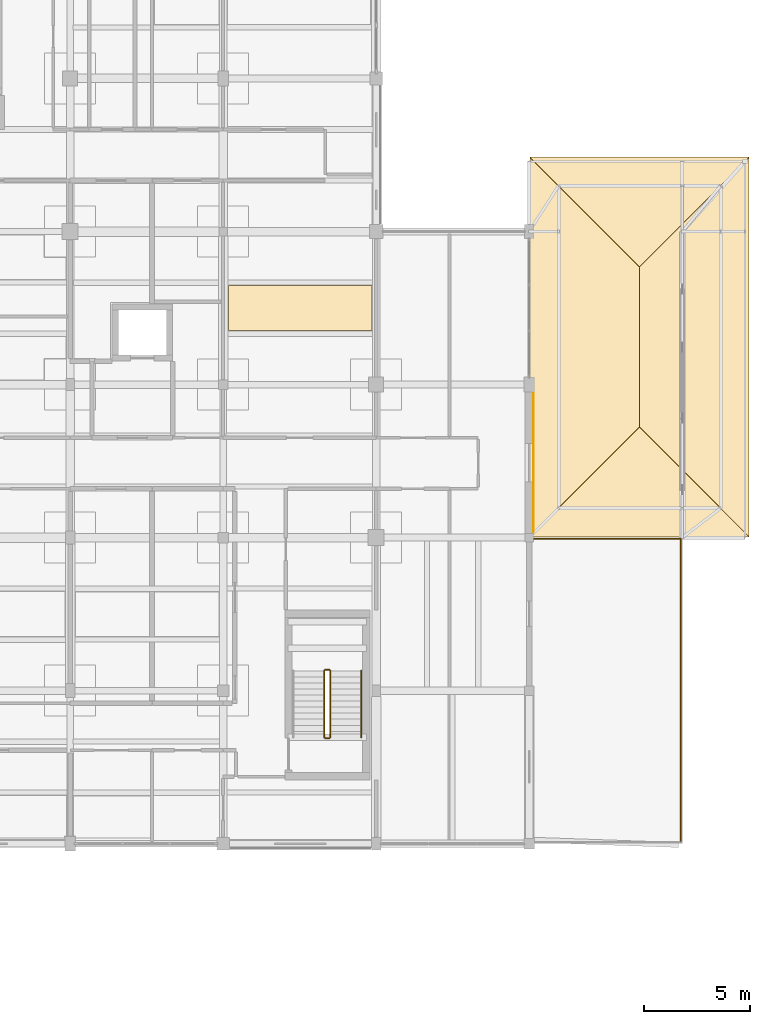
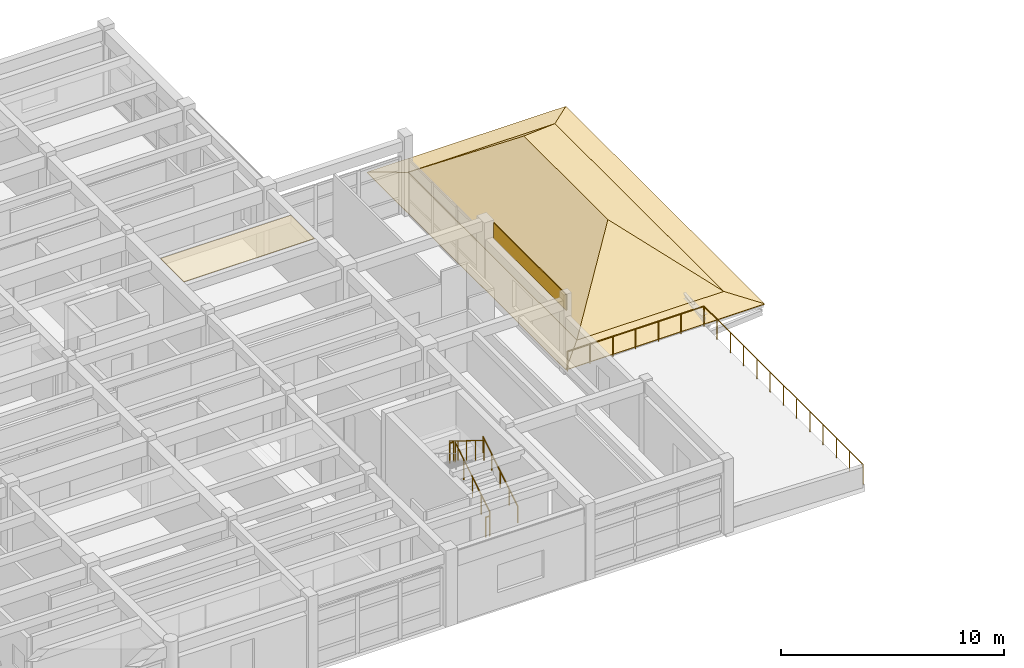
# One storey, part 99 of 100: 10 coverings, 7 railings.
"""IFC4 building model written with IfcOpenShell, lengths in metres."""

from ifc_helpers import new_model, si_unit, direction, frame, origin, origin_2d, place, context, subcontext, project, spatial, polyline, rectangle, circle, outline, extrude, material, layer, layer_set, type_object, element, save


model = new_model("IFC4")

# Units and contexts
model_context = context("Model", 3, precision=1e-05, world=origin(), true_north=direction((0.0, 1.0)))
body_context = subcontext(model_context, "Body", "Model", "MODEL_VIEW")
ifc_project = project(units=[si_unit("LENGTHUNIT", "METRE"), si_unit("AREAUNIT", "SQUARE_METRE"), si_unit("VOLUMEUNIT", "CUBIC_METRE"), si_unit("PLANEANGLEUNIT", "RADIAN"), si_unit("MASSUNIT", "GRAM", prefix="KILO")], contexts=[model_context])

# Site, building, storey
site_placement = place(None, origin())
site = spatial("IfcSite", under=ifc_project, at=site_placement, CompositionType="ELEMENT")
building_placement = place(site_placement, origin())
building = spatial("IfcBuilding", under=site, at=building_placement, Name="Steenspoor Specialist Clinic", CompositionType="ELEMENT")
storey_placement = place(building_placement, frame((0.0, 0.0, 9.0)))
storey = spatial("IfcBuildingStorey", under=building, at=storey_placement, Name="L02", CompositionType="ELEMENT", Elevation=9.0)

# Coverings
ifc_material_1 = material(Name="Washable acoustic mineral ceiling board", Category="gypsum")
ifc_layer_1 = layer(ifc_material_1, 0.02490234375)
ifc_layer_set_1 = layer_set([ifc_layer_1], Name="Washable acoustic mineral ceiling board")
covering_type_1 = type_object("IfcCoveringType", Name="COV-CEIL-ACOUSTIC", PredefinedType="CEILING", material=ifc_layer_set_1)
covering_1_placement = place(storey_placement, frame((0.0, 0.0, 3.925048828125)))
element("IfcCovering", 1, at=covering_1_placement, inside=storey, type_object=covering_type_1, Name="Acoustic Clinical Ceiling 161", PredefinedType="CEILING", context=body_context, shape_type="SweptSolid", body=[
    extrude(outline(polyline([(146.60498046875, 89.300048828125), (139.844970703125, 89.300048828125), (139.844970703125, 91.409912109375), (146.60498046875, 91.409912109375), (146.60498046875, 89.300048828125)])), origin(), (0.0, 0.0, 1.0), 0.02490234375),
])
ifc_material_2 = material(Name="Glazed ceramic relief spandrel cladding", Category="masonry")
ifc_layer_2 = layer(ifc_material_2, 0.034912109375)
ifc_layer_set_2 = layer_set([ifc_layer_2], Name="Glazed ceramic relief spandrel cladding")
covering_type_2 = type_object("IfcCoveringType", Name="COV-CLAD-CERAMIC", PredefinedType="CLADDING", material=ifc_layer_set_2)
covering_2_placement = place(storey_placement, frame((154.199951171875, 83.074951171875, 3.11474609375), z_axis=(0.0, 0.0, 1.0), x_axis=(0.0, -1.0, 0.0)))
element("IfcCovering", 2, at=covering_2_placement, inside=storey, type_object=covering_type_2, Name="Spandrel Cladding 88", PredefinedType="CLADDING", context=body_context, shape_type="SweptSolid", body=[
    extrude(rectangle(XDim=6.530029296875, YDim=0.0400390625, at=origin_2d()), origin(), (0.0, 0.0, 1.0), 0.840087890625),
])
ifc_material_3 = material(Name="Extruded terracotta clay roof tile", Category="masonry")
ifc_layer_3 = layer(ifc_material_3, 0.044921875)
ifc_layer_set_3 = layer_set([ifc_layer_3], Name="Extruded terracotta clay roof tile")
covering_type_3 = type_object("IfcCoveringType", Name="COV-ROOF-TILE", PredefinedType="ROOFING", material=ifc_layer_set_3)
covering_3_placement = place(storey_placement, frame((154.030029296875, 79.580078125, 0.048095703125), z_axis=(0.0, -0.241833577284, 0.970317742236), x_axis=(1.0, 0.0, 0.0)))
element("IfcCovering", 3, at=covering_3_placement, inside=storey, type_object=covering_type_3, Name="Clay Tile Roofing V6T1 SKS", PredefinedType="ROOFING", context=body_context, shape_type="SweptSolid", body=[
    extrude(outline(polyline([(0.0, 0.0), (10.320068359375, 0.0), (8.969970703125, 1.3911458658008675), (1.349853515625, 1.3911458658008675), (0.0, 0.0)])), origin(), (0.0, 0.0, -1.0), 0.044921875),
])
covering_4_placement = place(storey_placement, frame((164.35009765625, 97.449951171875, 0.048095703125), z_axis=(0.0, 0.241833577284, 0.970317742236), x_axis=(-1.0, 0.0, 0.0)))
element("IfcCovering", 4, at=covering_4_placement, inside=storey, type_object=covering_type_3, Name="Clay Tile Roofing V6T1 SKN", PredefinedType="ROOFING", context=body_context, shape_type="SweptSolid", body=[
    extrude(outline(polyline([(0.0, 0.0), (10.320068359375, 0.0), (8.97021484375, 1.3911458658008675), (1.35009765625, 1.3911458658008675), (0.0, 0.0)])), origin(), (0.0, 0.0, -1.0), 0.044921875),
])
covering_5_placement = place(storey_placement, frame((154.030029296875, 97.449951171875, 0.048095703125), z_axis=(-0.241833577284, 0.0, 0.970317742236), x_axis=(0.0, -1.0, 0.0)))
element("IfcCovering", 5, at=covering_5_placement, inside=storey, type_object=covering_type_3, Name="Clay Tile Roofing V6T1 SKW", PredefinedType="ROOFING", context=body_context, shape_type="SweptSolid", body=[
    extrude(outline(polyline([(0.0, 0.0), (17.869873046875, 0.0), (16.52001953125, 1.3911458658008673), (1.349853515625, 1.3911458658008673), (0.0, 0.0)])), origin(), (0.0, 0.0, -1.0), 0.044921875),
])
covering_6_placement = place(storey_placement, frame((164.35009765625, 79.580078125, 0.048095703125), z_axis=(0.241792402976, 0.0, 0.970328003235), x_axis=(0.0, 1.0, 0.0)))
element("IfcCovering", 6, at=covering_6_placement, inside=storey, type_object=covering_type_3, Name="Clay Tile Roofing V6T1 SKE", PredefinedType="ROOFING", context=body_context, shape_type="SweptSolid", body=[
    extrude(outline(polyline([(0.0, 0.0), (17.869873046875, 0.0), (16.52001953125, 1.3913827610335756), (1.349853515625, 1.3913827610335756), (0.0, 0.0)])), origin(), (0.0, 0.0, -1.0), 0.044921875),
])
for number, where, z_axis, x_axis, name in (
    (7, (155.3798828125, 96.10009765625, 0.384521484375), (-0.613940613515, 0.0, 0.789352217376), (0.0, -1.0, 0.0), "Clay Tile Roofing V6T1 W"),
    (8, (163.0, 80.929931640625, 0.384521484375), (0.613940613515, 0.0, 0.789352217376), (0.0, 1.0, 0.0), "Clay Tile Roofing V6T1 E"),
):
    element("IfcCovering", number, at=place(storey_placement, frame(where, z_axis=z_axis, x_axis=x_axis)), inside=storey, type_object=covering_type_3, Name=name, PredefinedType="ROOFING", context=body_context, shape_type="SweptSolid", body=[
        extrude(outline(polyline([(0.0, 0.0), (15.170166015625, 0.0), (11.360107421875, 4.826816863090589), (3.81005859375, 4.826816863090589), (0.0, 0.0)])), origin(), (0.0, 0.0, -1.0), 0.044921875),
    ])
for number, where, z_axis, x_axis, name in (
    (9, (155.3798828125, 80.929931640625, 0.384521484375), (0.0, -0.613940613515, 0.789352217376), (1.0, 0.0, 0.0), "Clay Tile Roofing V6T1 S"),
    (10, (163.0, 96.10009765625, 0.384521484375), (0.0, 0.613940613515, 0.789352217376), (-1.0, 0.0, 0.0), "Clay Tile Roofing V6T1 N"),
):
    element("IfcCovering", number, at=place(storey_placement, frame(where, z_axis=z_axis, x_axis=x_axis)), inside=storey, type_object=covering_type_3, Name=name, PredefinedType="ROOFING", context=body_context, shape_type="SweptSolid", body=[
        extrude(outline(polyline([(0.0, 0.0), (7.6201171875, 0.0), (3.81005859375, 4.826816863090589), (0.0, 0.0)])), origin(), (0.0, 0.0, -1.0), 0.044921875),
    ])

# Railings
ifc_material_4 = material(Name="Galvanised architectural steel exterior guard", Category="steel")
railing_type_1 = type_object("IfcRailingType", Name="RAIL-EGUARD-1100", PredefinedType="GUARDRAIL", material=ifc_material_4)
railing_1_placement = place(storey_placement, frame((161.139892578125, 65.2099609375, 0.0)))
element("IfcRailing", 11, at=railing_1_placement, inside=storey, type_object=railing_type_1, Name="Terrace Perimeter Guard 23", PredefinedType="GUARDRAIL", context=body_context, shape_type="SweptSolid", body=[
    extrude(circle(Radius=0.02392578125, at=origin_2d()), frame((0.0, 0.0, 1.09619140625), z_axis=(0.0, 1.0, 0.0), x_axis=(-1.0, 0.0, 0.0)), (0.0, 0.0, 1.0), 14.280029296875),
    extrude(circle(Radius=0.02099609375, at=origin_2d()), origin(), (0.0, 0.0, 1.0), 1.072021484375),
    extrude(circle(Radius=0.02099609375, at=origin_2d()), frame((0.0, 1.18994140625, 0.0)), (0.0, 0.0, 1.0), 1.072021484375),
    extrude(circle(Radius=0.02099609375, at=origin_2d()), frame((0.0, 2.3798828125, 0.0)), (0.0, 0.0, 1.0), 1.072021484375),
    extrude(circle(Radius=0.02099609375, at=origin_2d()), frame((0.0, 3.570068359375, 0.0)), (0.0, 0.0, 1.0), 1.072021484375),
    extrude(circle(Radius=0.02099609375, at=origin_2d()), frame((0.0, 4.760009765625, 0.0)), (0.0, 0.0, 1.0), 1.072021484375),
    extrude(circle(Radius=0.02099609375, at=origin_2d()), frame((0.0, 5.949951171875, 0.0)), (0.0, 0.0, 1.0), 1.072021484375),
    extrude(circle(Radius=0.02099609375, at=origin_2d()), frame((0.0, 7.14013671875, 0.0)), (0.0, 0.0, 1.0), 1.072021484375),
    extrude(circle(Radius=0.02099609375, at=origin_2d()), frame((0.0, 8.330078125, 0.0)), (0.0, 0.0, 1.0), 1.072021484375),
    extrude(circle(Radius=0.02099609375, at=origin_2d()), frame((0.0, 9.52001953125, 0.0)), (0.0, 0.0, 1.0), 1.072021484375),
    extrude(circle(Radius=0.02099609375, at=origin_2d()), frame((0.0, 10.7099609375, 0.0)), (0.0, 0.0, 1.0), 1.072021484375),
    extrude(circle(Radius=0.02099609375, at=origin_2d()), frame((0.0, 11.89990234375, 0.0)), (0.0, 0.0, 1.0), 1.072021484375),
    extrude(circle(Radius=0.02099609375, at=origin_2d()), frame((0.0, 13.090087890625, 0.0)), (0.0, 0.0, 1.0), 1.072021484375),
    extrude(circle(Radius=0.02099609375, at=origin_2d()), frame((0.0, 14.280029296875, 0.0)), (0.0, 0.0, 1.0), 1.072021484375),
])
railing_2_placement = place(storey_placement, frame((161.139892578125, 79.489990234375, 0.0)))
element("IfcRailing", 12, at=railing_2_placement, inside=storey, type_object=railing_type_1, Name="Terrace Perimeter Guard 24", PredefinedType="GUARDRAIL", context=body_context, shape_type="SweptSolid", body=[
    extrude(circle(Radius=0.02392578125, at=origin_2d()), frame((0.0, 0.0, 1.09619140625), z_axis=(-1.0, 0.0, 0.0), x_axis=(0.0, -1.0, 0.0)), (0.0, 0.0, 1.0), 7.079833984375),
    extrude(circle(Radius=0.02099609375, at=origin_2d()), origin(), (0.0, 0.0, 1.0), 1.072021484375),
    extrude(circle(Radius=0.02099609375, at=origin_2d()), frame((-1.179931640625, 0.0, 0.0)), (0.0, 0.0, 1.0), 1.072021484375),
    extrude(circle(Radius=0.02099609375, at=origin_2d()), frame((-2.35986328125, 0.0, 0.0)), (0.0, 0.0, 1.0), 1.072021484375),
    extrude(circle(Radius=0.02099609375, at=origin_2d()), frame((-3.5400390625, 0.0, 0.0)), (0.0, 0.0, 1.0), 1.072021484375),
    extrude(circle(Radius=0.02099609375, at=origin_2d()), frame((-4.719970703125, 0.0, 0.0)), (0.0, 0.0, 1.0), 1.072021484375),
    extrude(circle(Radius=0.02099609375, at=origin_2d()), frame((-5.89990234375, 0.0, 0.0)), (0.0, 0.0, 1.0), 1.072021484375),
    extrude(circle(Radius=0.02099609375, at=origin_2d()), frame((-7.079833984375, 0.0, 0.0)), (0.0, 0.0, 1.0), 1.072021484375),
])
ifc_material_5 = material(Name="Painted architectural steel balustrade", Category="steel")
railing_type_2 = type_object("IfcRailingType", Name="RAIL-GUARD-1100", PredefinedType="GUARDRAIL", material=ifc_material_5)
railing_3_placement = place(storey_placement, frame((144.64990234375, 70.14990234375, 0.175048828125)))
element("IfcRailing", 13, at=railing_3_placement, inside=storey, type_object=railing_type_2, Name="L02 ST-V6B stair guard 1", PredefinedType="GUARDRAIL", context=body_context, shape_type="SweptSolid", body=[
    extrude(circle(Radius=0.02392578125, at=origin_2d()), frame((0.0, 0.0, 1.076171875), z_axis=(0.0, 0.852166034122, 0.523271488128), x_axis=(-1.0, 0.0, 0.0)), (0.0, 0.0, 1.0), 3.678955078125),
    extrude(circle(Radius=0.02099609375, at=origin_2d()), origin(), (0.0, 0.0, 1.0), 1.052001953125),
    extrude(circle(Radius=0.02099609375, at=origin_2d()), frame((0.0, 0.78369140625, 0.481201171875)), (0.0, 0.0, 1.0), 1.052001953125),
    extrude(circle(Radius=0.02099609375, at=origin_2d()), frame((0.0, 1.5673828125, 0.96240234375)), (0.0, 0.0, 1.0), 1.052001953125),
    extrude(circle(Radius=0.02099609375, at=origin_2d()), frame((0.0, 2.351318359375, 1.44384765625)), (0.0, 0.0, 1.0), 1.052001953125),
    extrude(circle(Radius=0.02099609375, at=origin_2d()), frame((0.0, 3.135009765625, 1.925048828125)), (0.0, 0.0, 1.0), 1.052001953125),
])
railing_4_placement = place(storey_placement, frame((144.60009765625, 73.3349609375, 2.10009765625)))
element("IfcRailing", 14, at=railing_4_placement, inside=storey, type_object=railing_type_2, Name="L02 ST-V6B stair guard 2", PredefinedType="GUARDRAIL", context=body_context, shape_type="SweptSolid", body=[
    extrude(circle(Radius=0.02392578125, at=origin_2d()), frame((0.0, 0.0, 1.076171875), z_axis=(-1.0, 0.0, 0.0), x_axis=(0.0, -1.0, 0.0)), (0.0, 0.0, 1.0), 0.2001953125),
    extrude(circle(Radius=0.02099609375, at=origin_2d()), origin(), (0.0, 0.0, 1.0), 1.052001953125),
    extrude(circle(Radius=0.02099609375, at=origin_2d()), frame((-0.2001953125, 0.0, 0.0)), (0.0, 0.0, 1.0), 1.052001953125),
])
railing_5_placement = place(storey_placement, frame((144.35009765625, 73.284912109375, 2.27490234375)))
element("IfcRailing", 15, at=railing_5_placement, inside=storey, type_object=railing_type_2, Name="L02 ST-V6B stair guard 3", PredefinedType="GUARDRAIL", context=body_context, shape_type="SweptSolid", body=[
    extrude(circle(Radius=0.02392578125, at=origin_2d()), frame((0.0, 0.0, 1.076171875), z_axis=(0.0, -0.852166034122, 0.523271488128), x_axis=(1.0, 0.0, 0.0)), (0.0, 0.0, 1.0), 3.678955078125),
    extrude(circle(Radius=0.02099609375, at=origin_2d()), origin(), (0.0, 0.0, 1.0), 1.052001953125),
    extrude(circle(Radius=0.02099609375, at=origin_2d()), frame((0.0, -0.78369140625, 0.481201171875)), (0.0, 0.0, 1.0), 1.052001953125),
    extrude(circle(Radius=0.02099609375, at=origin_2d()), frame((0.0, -1.5673828125, 0.96240234375)), (0.0, 0.0, 1.0), 1.052001953125),
    extrude(circle(Radius=0.02099609375, at=origin_2d()), frame((0.0, -2.351318359375, 1.44384765625)), (0.0, 0.0, 1.0), 1.052001953125),
    extrude(circle(Radius=0.02099609375, at=origin_2d()), frame((0.0, -3.135009765625, 1.925048828125)), (0.0, 0.0, 1.0), 1.052001953125),
])
railing_6_placement = place(storey_placement, frame((144.60009765625, 70.10009765625, 0.0)))
element("IfcRailing", 16, at=railing_6_placement, inside=storey, type_object=railing_type_2, Name="L02 ST-V6B stair guard 4", PredefinedType="GUARDRAIL", context=body_context, shape_type="SweptSolid", body=[
    extrude(circle(Radius=0.02392578125, at=origin_2d()), frame((0.0, 0.0, 1.076171875), z_axis=(-1.0, 0.0, 0.0), x_axis=(0.0, -1.0, 0.0)), (0.0, 0.0, 1.0), 0.2001953125),
    extrude(circle(Radius=0.02099609375, at=origin_2d()), origin(), (0.0, 0.0, 1.0), 1.052001953125),
    extrude(circle(Radius=0.02099609375, at=origin_2d()), frame((-0.2001953125, 0.0, 0.0)), (0.0, 0.0, 1.0), 1.052001953125),
])
ifc_material_6 = material(Name="Brushed stainless steel clinical handrail", Category="steel")
railing_type_3 = type_object("IfcRailingType", Name="RAIL-HAND-900", PredefinedType="HANDRAIL", material=ifc_material_6)
railing_7_placement = place(storey_placement, frame((146.10009765625, 70.14990234375, 0.175048828125)))
element("IfcRailing", 17, at=railing_7_placement, inside=storey, type_object=railing_type_3, Name="L02 ST-V6B stair handrail 1", PredefinedType="HANDRAIL", context=body_context, shape_type="SweptSolid", body=[
    extrude(circle(Radius=0.02392578125, at=origin_2d()), frame((0.0, 0.0, 0.8759765625), z_axis=(0.0, 0.852166034122, 0.523271488128), x_axis=(-1.0, 0.0, 0.0)), (0.0, 0.0, 1.0), 3.678955078125),
    extrude(circle(Radius=0.02099609375, at=origin_2d()), origin(), (0.0, 0.0, 1.0), 0.851806640625),
    extrude(circle(Radius=0.02099609375, at=origin_2d()), frame((0.0, 0.78369140625, 0.481201171875)), (0.0, 0.0, 1.0), 0.851806640625),
    extrude(circle(Radius=0.02099609375, at=origin_2d()), frame((0.0, 1.5673828125, 0.96240234375)), (0.0, 0.0, 1.0), 0.851806640625),
    extrude(circle(Radius=0.02099609375, at=origin_2d()), frame((0.0, 2.351318359375, 1.44384765625)), (0.0, 0.0, 1.0), 0.851806640625),
    extrude(circle(Radius=0.02099609375, at=origin_2d()), frame((0.0, 3.135009765625, 1.925048828125)), (0.0, 0.0, 1.0), 0.851806640625),
])

save(model, "model.ifc")
